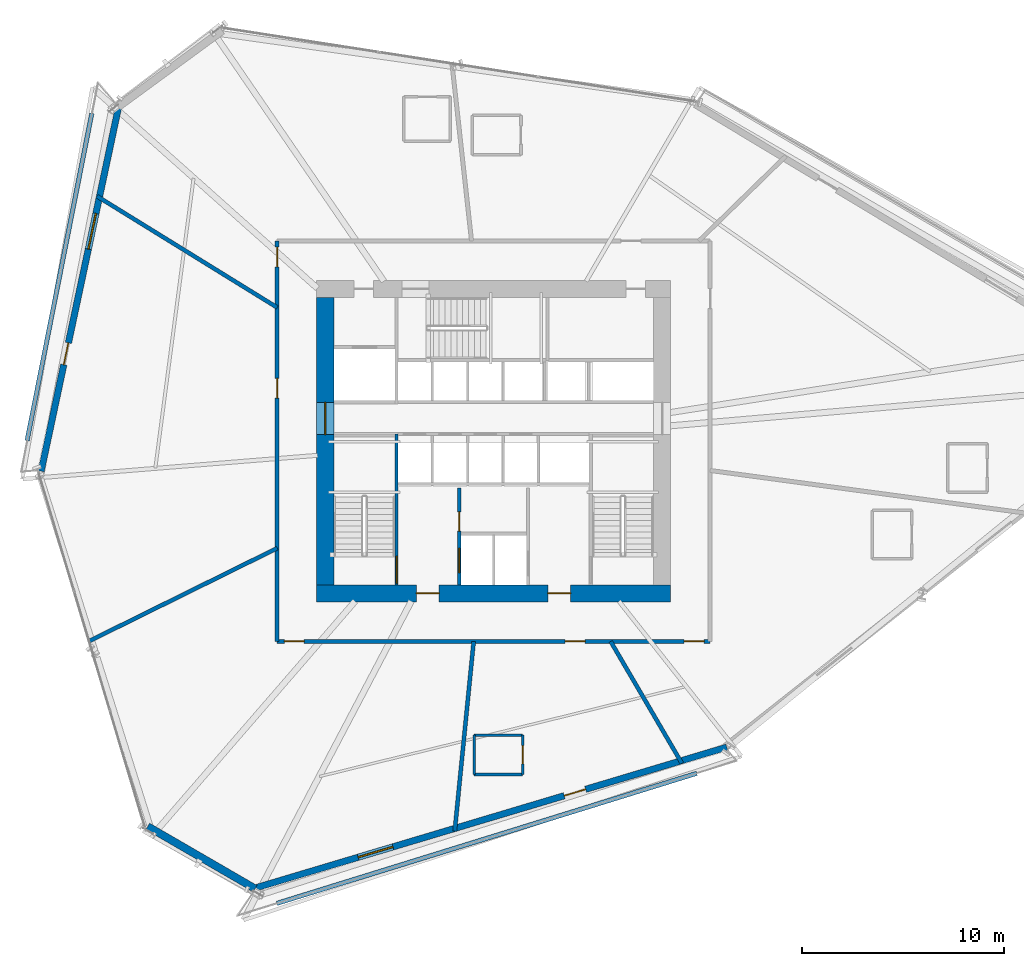
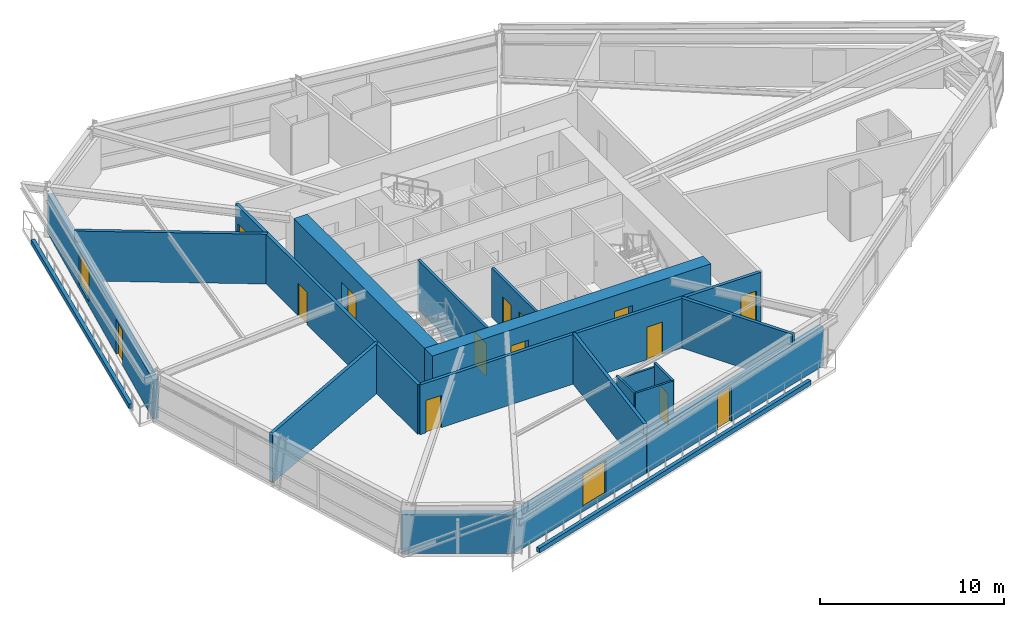
# One storey, part 17 of 22: 19 walls, 14 doors, 2 windows, 16 openings.
"""IFC4 building model written with IfcOpenShell, lengths in metres."""

import ifcopenshell
import ifcopenshell.guid

model = None  # the IFC model being written
_history = None  # IfcOwnerHistory: only IFC2X3 demands one
_inside = {}  # id of a spatial element -> (the spatial element, [elements in it])
_under = {}  # id of a project, library or spatial element -> (it, [spatial elements below it])
_declared = {}  # id of a project -> (the project, [libraries it declares])
_typed = {}  # id of a type object -> (the type object, [elements of that type])
_made_of = {}  # id of a material, layer set ... -> (it, [elements and type objects made of it])


def new_model(schema):
    """Start an empty IFC model of exactly this schema.

    Asked for "IFC4X3", IfcOpenShell would pick the latest addendum, in which some entities
    have other attributes; the version numbers below select the first issue.
    IFC2X3 requires an IfcOwnerHistory on every rooted entity: one is made here for all.
    """
    global model, _history
    if schema == "IFC4X3":
        model = ifcopenshell.file(schema_version=(4, 3, 0, 0))
    else:
        model = ifcopenshell.file(schema=schema)
    _inside.clear()
    _under.clear()
    _declared.clear()
    _typed.clear()
    _made_of.clear()
    _history = None
    if model.schema == "IFC2X3":
        org = make("IfcOrganization", Name="unknown")
        user = make(
            "IfcPersonAndOrganization",
            ThePerson=make("IfcPerson", FamilyName="unknown"),
            TheOrganization=org,
        )
        app = make(
            "IfcApplication",
            ApplicationDeveloper=org,
            Version="unknown",
            ApplicationFullName="unknown",
            ApplicationIdentifier="unknown",
        )
        _history = make(
            "IfcOwnerHistory",
            OwningUser=user,
            OwningApplication=app,
            ChangeAction="ADDED",
            CreationDate=0,
        )
    return model


def make(cls, **values):
    """One entity of the class cls with the attributes given. An attribute that is None is left unset."""
    return model.create_entity(
        cls, **{name: value for name, value in values.items() if value is not None}
    )


def rooted(cls, **values):
    """An entity with a GlobalId (a new one), such as an element, a storey or a relation."""
    return make(cls, GlobalId=ifcopenshell.guid.new(), OwnerHistory=_history, **values)


def si_unit(unit_type, name, prefix=None):
    """IfcSIUnit, for example si_unit("LENGTHUNIT", "METRE", prefix="MILLI")."""
    return make("IfcSIUnit", UnitType=unit_type, Prefix=prefix, Name=name)


def assignment(units):
    """IfcUnitAssignment: the units of a project."""
    return None if units is None else make("IfcUnitAssignment", Units=units)


def point(xyz):
    """IfcCartesianPoint."""
    return None if xyz is None else make("IfcCartesianPoint", Coordinates=xyz)


def direction(xyz):
    """IfcDirection."""
    return None if xyz is None else make("IfcDirection", DirectionRatios=xyz)


def frame(location, z_axis=None, x_axis=None):
    """IfcAxis2Placement3D, a coordinate frame: its origin and axes. An axis left out is left unset."""
    return make(
        "IfcAxis2Placement3D",
        Location=point(location),
        Axis=direction(z_axis),
        RefDirection=direction(x_axis),
    )


def frame_2d(location, x_axis=None):
    """IfcAxis2Placement2D, a coordinate frame in the plane: its origin and x axis."""
    return make(
        "IfcAxis2Placement2D", Location=point(location), RefDirection=direction(x_axis)
    )


def origin():
    """The frame at (0, 0, 0) with its axes left unset."""
    return frame((0.0, 0.0, 0.0))


def place(relative_to, where):
    """IfcLocalPlacement: puts the frame where relative to a parent placement (None: the world)."""
    return make(
        "IfcLocalPlacement", PlacementRelTo=relative_to, RelativePlacement=where
    )


def context(
    kind, dimensions, precision=None, world=None, true_north=None, identifier=None
):
    """IfcGeometricRepresentationContext, for example the 3D "Model" context."""
    return make(
        "IfcGeometricRepresentationContext",
        ContextIdentifier=identifier,
        ContextType=kind,
        CoordinateSpaceDimension=dimensions,
        Precision=precision,
        WorldCoordinateSystem=world,
        TrueNorth=true_north,
    )


def subcontext(parent, identifier, kind, view, scale=None):
    """IfcGeometricRepresentationSubContext, for example "Body" below "Model"."""
    return make(
        "IfcGeometricRepresentationSubContext",
        ContextIdentifier=identifier,
        ContextType=kind,
        ParentContext=parent,
        TargetScale=scale,
        TargetView=view,
    )


def project(units=None, contexts=None):
    """IfcProject with its units and contexts."""
    return rooted(
        "IfcProject",
        Name="project",
        RepresentationContexts=contexts,
        UnitsInContext=assignment(units),
    )


def spatial(cls, under=None, at=None, **own):
    """A site, building, storey or space (cls), placed at a placement, below another one or the project."""
    s = rooted(cls, ObjectPlacement=at, **own)
    if under is not None:
        _under.setdefault(under.id(), (under, []))[1].append(s)
    return s


def profile(cls, at=None, kind="AREA", **sizes):
    """A parametric profile (cls). Its sizes go by their IFC names, for example OverallWidth=200.0."""
    return make(cls, ProfileType=kind, Position=at, **sizes)


def rectangle(**sizes):
    """IfcRectangleProfileDef."""
    return profile("IfcRectangleProfileDef", **sizes)


def extrude(swept, where, along, depth):
    """IfcExtrudedAreaSolid: the profile swept, set in the frame where, extruded along a direction by depth."""
    return make(
        "IfcExtrudedAreaSolid",
        SweptArea=swept,
        Position=where,
        ExtrudedDirection=direction(along),
        Depth=depth,
    )


def shape(context_of_items, identifier, shape_type, items):
    """IfcShapeRepresentation: the items that make up one representation, for example the "Body"."""
    return make(
        "IfcShapeRepresentation",
        ContextOfItems=context_of_items,
        RepresentationIdentifier=identifier,
        RepresentationType=shape_type,
        Items=items,
    )


def source(mapping_origin, context_of_items, identifier, shape_type, items):
    """IfcRepresentationMap: a shape defined once, which mapped items show again and again."""
    return make(
        "IfcRepresentationMap",
        MappingOrigin=mapping_origin,
        MappedRepresentation=shape(context_of_items, identifier, shape_type, items),
    )


def transform(
    local_origin,
    x_axis=None,
    y_axis=None,
    z_axis=None,
    scale=None,
    scale2=None,
    scale3=None,
    uniform=True,
):
    """IfcCartesianTransformationOperator3D, or its non-uniform kind. x_axis, y_axis, z_axis: its Axis1, 2, 3."""
    if uniform:
        return make(
            "IfcCartesianTransformationOperator3D",
            Axis1=direction(x_axis),
            Axis2=direction(y_axis),
            LocalOrigin=point(local_origin),
            Scale=scale,
            Axis3=direction(z_axis),
        )
    return make(
        "IfcCartesianTransformationOperator3DnonUniform",
        Axis1=direction(x_axis),
        Axis2=direction(y_axis),
        LocalOrigin=point(local_origin),
        Scale=scale,
        Axis3=direction(z_axis),
        Scale2=scale2,
        Scale3=scale3,
    )


def mapped(mapping_source, mapping_target):
    """IfcMappedItem: shows the shape of a source again, moved by a transform."""
    return make(
        "IfcMappedItem", MappingSource=mapping_source, MappingTarget=mapping_target
    )


def material(Name=None, Category=None):
    """IfcMaterial."""
    return make("IfcMaterial", Name=Name, Category=Category)


def layer(
    of_material, thickness, ventilated=None, Name=None, Category=None, Priority=None
):
    """IfcMaterialLayer: one layer of a wall or slab, of a material (None: an air gap)."""
    return make(
        "IfcMaterialLayer",
        Material=of_material,
        LayerThickness=thickness,
        IsVentilated=ventilated,
        Name=Name,
        Category=Category,
        Priority=Priority,
    )


def layer_set(layers, Name=None):
    """IfcMaterialLayerSet."""
    return make("IfcMaterialLayerSet", MaterialLayers=layers, LayerSetName=Name)


def made_of(thing, what):
    """Note that an element or type object is made of a material, layer set ...; save() writes the relation."""
    if what is not None:
        _made_of.setdefault(what.id(), (what, []))[1].append(thing)
    return thing


def type_object(cls, material=None, **own):
    """A type object (cls), such as IfcWallType, which elements share."""
    return made_of(rooted(cls, **own), material)


def type_shapes(of_type, sources):
    """Give a type object the sources (RepresentationMaps) that its elements show as mapped items."""
    of_type.RepresentationMaps = sources


def element(
    cls,
    number,
    at=None,
    inside=None,
    cuts=None,
    type_object=None,
    material=None,
    context=None,
    identifier="Body",
    shape_type=None,
    held_by="IfcProductDefinitionShape",
    body=None,
    shapes=None,
    **own,
):
    """One element of the class cls, such as IfcWall. Its Tag is "e" and its number.

    at: its placement. inside: the storey or other place that contains it. cuts: it is an
    opening in that element (IfcRelVoidsElement). A single representation is given by context,
    identifier, shape_type and body (its items); several are given by shapes. held_by: the class
    of the entity that holds the representations. save() writes the other relations.
    """
    e = rooted(cls, Tag="e%d" % number, ObjectPlacement=at, **own)
    if body is not None:
        shapes = [shape(context, identifier, shape_type, body)]
    if shapes is not None:
        e.Representation = make(held_by, Representations=shapes)
    if inside is not None:
        _inside.setdefault(inside.id(), (inside, []))[1].append(e)
    if cuts is not None:
        rooted(
            "IfcRelVoidsElement", RelatingBuildingElement=cuts, RelatedOpeningElement=e
        )
    if type_object is not None:
        _typed.setdefault(type_object.id(), (type_object, []))[1].append(e)
    return made_of(e, material)


def fill(opening, filler):
    """IfcRelFillsElement: the door or window that sits in an opening."""
    return rooted(
        "IfcRelFillsElement",
        RelatingOpeningElement=opening,
        RelatedBuildingElement=filler,
    )


def aggregate(whole, parts):
    """IfcRelAggregates: a whole, such as a stair, and the parts it consists of."""
    return rooted("IfcRelAggregates", RelatingObject=whole, RelatedObjects=parts)


def save(model, path):
    """Write the relations noted so far, then the file.

    IfcRelAggregates (storeys below a building ...), IfcRelContainedInSpatialStructure (elements
    in a storey), IfcRelDefinesByType, IfcRelAssociatesMaterial and IfcRelDeclares: one each for
    every whole, place, type object, material and project.
    """
    for whole, parts in _under.values():
        aggregate(whole, parts)
    for where, things in _inside.values():
        rooted(
            "IfcRelContainedInSpatialStructure",
            RelatedElements=things,
            RelatingStructure=where,
        )
    for kind, things in _typed.values():
        rooted("IfcRelDefinesByType", RelatedObjects=things, RelatingType=kind)
    for what, things in _made_of.values():
        rooted("IfcRelAssociatesMaterial", RelatedObjects=things, RelatingMaterial=what)
    for by, libraries in _declared.values():
        rooted("IfcRelDeclares", RelatingContext=by, RelatedDefinitions=libraries)
    model.write(path)


model = new_model("IFC4")

# Units and contexts
model_context = context("Model", 3, precision=1e-05, world=origin(), true_north=direction((0.0, 1.0)))
body_context = subcontext(model_context, "Body", "Model", "MODEL_VIEW")
ifc_project = project(units=[si_unit("LENGTHUNIT", "METRE"), si_unit("AREAUNIT", "SQUARE_METRE"), si_unit("VOLUMEUNIT", "CUBIC_METRE"), si_unit("PLANEANGLEUNIT", "RADIAN"), si_unit("MASSUNIT", "GRAM", prefix="KILO")], contexts=[model_context])

# Site, building, storey
site_placement = place(None, origin())
site = spatial("IfcSite", under=ifc_project, at=site_placement, CompositionType="ELEMENT")
building_placement = place(site_placement, origin())
building = spatial("IfcBuilding", under=site, at=building_placement, Name="Olszyna Solenne Hotel", CompositionType="ELEMENT")
storey_placement = place(building_placement, frame((0.0, 0.0, 50.60009765625)))
storey = spatial("IfcBuildingStorey", under=building, at=storey_placement, Name="L12", CompositionType="ELEMENT", Elevation=50.60009765625)

# Wall, openings, doors
ifc_material_1 = material(Name="Concrete C60/75", Category="concrete")
ifc_layer_1 = layer(ifc_material_1, 0.85009765625, Name="Concrete C60/75")
ifc_layer_set_1 = layer_set([ifc_layer_1], Name="Concrete C60/75")
wall_type_1 = type_object("IfcWallType", Name="WL-CR850", PredefinedType="SHEAR", material=ifc_layer_set_1)
wall_1_placement = place(storey_placement, frame((46.75, 19.074951171875, 0.0), z_axis=(0.0, 0.0, 1.0), x_axis=(-1.0, 0.0, 0.0)))
wall_1 = element("IfcWall", 1, at=wall_1_placement, inside=storey, type_object=wall_type_1, Name="Core shear wall WL-CR850 CRW-L12-S", PredefinedType="SHEAR", context=body_context, shape_type="SweptSolid", body=[
    extrude(rectangle(XDim=17.5, YDim=0.85009765625, at=frame_2d((8.75, 0.0))), origin(), (0.0, 0.0, 1.0), 3.2998046875),
])
opening_1_placement = place(wall_1_placement, frame((4.949951171875, 0.0, 0.0)))
opening_1 = element("IfcOpeningElement", 2, at=opening_1_placement, cuts=wall_1, Name="Opening FL-L12-1", PredefinedType="OPENING", context=body_context, shape_type="SweptSolid", body=[
    extrude(rectangle(XDim=1.1201171875, YDim=2.25, at=frame_2d((0.56005859375, 1.125))), frame((0.0, 0.43505859375, 0.0), z_axis=(0.0, -1.0, 0.0), x_axis=(1.0, 0.0, 0.0)), (0.0, 0.0, 1.0), 0.8701171875),
])
opening_2_placement = place(wall_1_placement, frame((11.449951171875, 0.0, 0.0)))
opening_2 = element("IfcOpeningElement", 3, at=opening_2_placement, cuts=wall_1, Name="Opening FL-L12-2", PredefinedType="OPENING", context=body_context, shape_type="SweptSolid", body=[
    extrude(rectangle(XDim=1.1201171875, YDim=2.25, at=frame_2d((0.56005859375, 1.125))), frame((0.0, 0.43505859375, 0.0), z_axis=(0.0, -1.0, 0.0), x_axis=(1.0, 0.0, 0.0)), (0.0, 0.0, 1.0), 0.8701171875),
])
ifc_material_2 = material(Name="Steel S355J2", Category="steel")
door_type_1 = type_object("IfcDoorType", Name="DR-FL1", OperationType="NOTDEFINED", PredefinedType="DOOR", material=ifc_material_2)
shared_shape_1 = source(origin(), body_context, "Body", "SweptSolid", [
    extrude(rectangle(XDim=1.1201171875, YDim=2.25, at=frame_2d((0.56005859375, 1.125))), frame((0.0, 0.02490234375, 0.0), z_axis=(0.0, -1.0, 0.0), x_axis=(1.0, 0.0, 0.0)), (0.0, 0.0, 1.0), 0.050048828125),
])
type_shapes(door_type_1, [shared_shape_1])
door_1_placement = place(opening_1_placement, origin())
door_1 = element("IfcDoor", 4, at=door_1_placement, inside=storey, type_object=door_type_1, Name="Firefighting lift lobby smoke door FL-L12-1", OperationType="SINGLE_SWING_LEFT", OverallHeight=2.25, OverallWidth=1.1201171875, PredefinedType="DOOR", context=body_context, shape_type="MappedRepresentation", body=[
    mapped(shared_shape_1, transform((0.0, 0.0, 0.0), x_axis=(1.0, 0.0, 0.0), y_axis=(0.0, 1.0, 0.0), z_axis=(0.0, 0.0, 1.0), scale=1.0)),
])
fill(opening_1, door_1)
door_2_placement = place(opening_2_placement, origin())
door_2 = element("IfcDoor", 5, at=door_2_placement, inside=storey, type_object=door_type_1, Name="Firefighting lift lobby smoke door FL-L12-2", OperationType="SINGLE_SWING_RIGHT", OverallHeight=2.25, OverallWidth=1.1201171875, PredefinedType="DOOR", context=body_context, shape_type="MappedRepresentation", body=[
    mapped(shared_shape_1, transform((0.0, 0.0, 0.0), x_axis=(1.0, 0.0, 0.0), y_axis=(0.0, 1.0, 0.0), z_axis=(0.0, 0.0, 1.0), scale=1.0)),
])
fill(opening_2, door_2)

# Wall, opening, door
wall_2_placement = place(storey_placement, frame((29.675048828125, 19.5, 0.0), z_axis=(0.0, 0.0, 1.0), x_axis=(0.0, 1.0, 0.0)))
wall_2 = element("IfcWall", 6, at=wall_2_placement, inside=storey, type_object=wall_type_1, Name="Core shear wall WL-CR850 CRW-L12-W", PredefinedType="SHEAR", context=body_context, shape_type="SweptSolid", body=[
    extrude(rectangle(XDim=14.199951171875, YDim=0.85009765625, at=frame_2d((7.10009765625, 0.0))), origin(), (0.0, 0.0, 1.0), 3.2998046875),
])
opening_3_placement = place(wall_2_placement, frame((7.419921875, 0.0, 0.0)))
opening_3 = element("IfcOpeningElement", 7, at=opening_3_placement, cuts=wall_2, Name="Opening LHD-L12-W", PredefinedType="OPENING", context=body_context, shape_type="SweptSolid", body=[
    extrude(rectangle(XDim=1.60009765625, YDim=2.199951171875, at=frame_2d((0.800048828125, 1.10009765625))), frame((0.0, 0.43505859375, 0.0), z_axis=(0.0, -1.0, 0.0), x_axis=(1.0, 0.0, 0.0)), (0.0, 0.0, 1.0), 0.8701171875),
])
ifc_material_3 = material(Name="Timber hardwood", Category="wood")
door_type_2 = type_object("IfcDoorType", Name="DR-CR1", OperationType="DOUBLE_DOOR_SINGLE_SWING", PredefinedType="DOOR", material=ifc_material_3)
shared_shape_2 = source(origin(), body_context, "Body", "SweptSolid", [
    extrude(rectangle(XDim=1.60009765625, YDim=2.199951171875, at=frame_2d((0.800048828125, 1.10009765625))), frame((0.0, 0.02490234375, 0.0), z_axis=(0.0, -1.0, 0.0), x_axis=(1.0, 0.0, 0.0)), (0.0, 0.0, 1.0), 0.050048828125),
])
type_shapes(door_type_2, [shared_shape_2])
door_3_placement = place(opening_3_placement, origin())
door_3 = element("IfcDoor", 8, at=door_3_placement, inside=storey, type_object=door_type_2, Name="Passenger lift lobby West fire door LHD-L12-W", OperationType="DOUBLE_DOOR_SINGLE_SWING", OverallHeight=2.199951171875, OverallWidth=1.60009765625, PredefinedType="DOOR", context=body_context, shape_type="MappedRepresentation", body=[
    mapped(shared_shape_2, transform((0.0, 0.0, 0.0), x_axis=(1.0, 0.0, 0.0), y_axis=(0.0, 1.0, 0.0), z_axis=(0.0, 0.0, 1.0), scale=1.0)),
])
fill(opening_3, door_3)

# Wall, openings, door, window
ifc_material_4 = material(Name="Precast concrete C45/55", Category="concrete")
ifc_layer_2 = layer(ifc_material_4, 0.320068359375, Name="Precast concrete C45/55")
ifc_layer_set_2 = layer_set([ifc_layer_2], Name="Precast concrete C45/55")
wall_type_2 = type_object("IfcWallType", Name="WL-EX320", PredefinedType="SOLIDWALL", material=ifc_layer_set_2)
wall_3_placement = place(storey_placement, frame((49.526123046875, 11.473876953125, 0.0), z_axis=(0.0, 0.0, 1.0), x_axis=(-0.958183644485, -0.286153985541, 0.0)))
wall_3 = element("IfcWall", 9, at=wall_3_placement, inside=storey, type_object=wall_type_2, Name="Exterior terracotta-precast frame wall WL-EX320 EW-L12-01", PredefinedType="SOLIDWALL", context=body_context, shape_type="SweptSolid", body=[
    extrude(rectangle(XDim=24.487060546875, YDim=0.320068359375, at=frame_2d((12.24365234375, 0.0))), origin(), (0.0, 0.0, 1.0), 2.591796875),
])
opening_4_placement = place(wall_3_placement, frame((7.285888671875, 0.0, 0.0)))
opening_4 = element("IfcOpeningElement", 10, at=opening_4_placement, cuts=wall_3, Name="Opening LDG-L12-3", PredefinedType="OPENING", context=body_context, shape_type="SweptSolid", body=[
    extrude(rectangle(XDim=1.10009765625, YDim=2.300048828125, at=frame_2d((0.550048828125, 1.14990234375))), frame((0.0, 0.169921875, 0.0), z_axis=(0.0, -1.0, 0.0), x_axis=(1.0, 0.0, 0.0)), (0.0, 0.0, 1.0), 0.340087890625),
])
opening_5_placement = place(wall_3_placement, frame((17.220947265625, 0.0, 0.27197265625)))
opening_5 = element("IfcOpeningElement", 11, at=opening_5_placement, cuts=wall_3, Name="Opening WN-L12-052", PredefinedType="OPENING", context=body_context, shape_type="SweptSolid", body=[
    extrude(rectangle(XDim=1.800048828125, YDim=2.199951171875, at=frame_2d((0.89990234375, 1.10009765625))), frame((0.0, 0.169921875, 0.0), z_axis=(0.0, -1.0, 0.0), x_axis=(1.0, 0.0, 0.0)), (0.0, 0.0, 1.0), 0.340087890625),
])
ifc_material_5 = material(Name="Anodised bronze aluminium", Category="aluminium")
door_type_3 = type_object("IfcDoorType", Name="DR-LG1", OperationType="NOTDEFINED", PredefinedType="DOOR", material=ifc_material_5)
shared_shape_3 = source(origin(), body_context, "Body", "SweptSolid", [
    extrude(rectangle(XDim=1.10009765625, YDim=2.300048828125, at=frame_2d((0.550048828125, 1.14990234375))), frame((0.0, 0.02490234375, 0.0), z_axis=(0.0, -1.0, 0.0), x_axis=(1.0, 0.0, 0.0)), (0.0, 0.0, 1.0), 0.050048828125),
])
type_shapes(door_type_3, [shared_shape_3])
door_4_placement = place(opening_4_placement, origin())
door_4 = element("IfcDoor", 12, at=door_4_placement, inside=storey, type_object=door_type_3, Name="Exterior loggia balcony door DR-LG1 LDG-L12-3", OperationType="SINGLE_SWING_RIGHT", OverallHeight=2.300048828125, OverallWidth=1.10009765625, PredefinedType="DOOR", context=body_context, shape_type="MappedRepresentation", body=[
    mapped(shared_shape_3, transform((0.0, 0.0, 0.0), x_axis=(1.0, 0.0, 0.0), y_axis=(0.0, 1.0, 0.0), z_axis=(0.0, 0.0, 1.0), scale=1.0)),
])
fill(opening_4, door_4)
ifc_material_6 = material(Name="Low-E triple glazing", Category="glass")
window_type = type_object("IfcWindowType", Name="WN-HT1", PartitioningType="SINGLE_PANEL", PredefinedType="WINDOW", material=ifc_material_6)
shared_shape_4 = source(origin(), body_context, "Body", "SweptSolid", [
    extrude(rectangle(XDim=1.800048828125, YDim=2.199951171875, at=frame_2d((0.89990234375, 1.10009765625))), frame((0.0, 0.030029296875, 0.0), z_axis=(0.0, -1.0, 0.0), x_axis=(1.0, 0.0, 0.0)), (0.0, 0.0, 1.0), 0.06005859375),
])
type_shapes(window_type, [shared_shape_4])
window_1_placement = place(opening_5_placement, origin())
window_1 = element("IfcWindow", 13, at=window_1_placement, inside=storey, type_object=window_type, Name="Loggia room window WN-HT1 WN-L12-052", OverallHeight=2.199951171875, OverallWidth=1.800048828125, PartitioningType="SINGLE_PANEL", PredefinedType="WINDOW", context=body_context, shape_type="MappedRepresentation", body=[
    mapped(shared_shape_4, transform((0.0, 0.0, 0.0), x_axis=(1.0, 0.0, 0.0), y_axis=(0.0, 1.0, 0.0), z_axis=(0.0, 0.0, 1.0), scale=1.0)),
])
fill(opening_5, window_1)

wall_4_placement = place(storey_placement, frame((15.629150390625, 25.1171875, 0.0), z_axis=(0.0, 0.0, 1.0), x_axis=(0.207965348846, 0.97813619383, 0.0)))
wall_4 = element("IfcWall", 14, at=wall_4_placement, inside=storey, type_object=wall_type_2, Name="Exterior terracotta-precast frame wall WL-EX320 EW-L12-04", PredefinedType="SOLIDWALL", context=body_context, shape_type="SweptSolid", body=[
    extrude(rectangle(XDim=18.544921875, YDim=0.320068359375, at=frame_2d((9.2724609375, 0.0))), origin(), (0.0, 0.0, 1.0), 2.591796875),
])
opening_6_placement = place(wall_4_placement, frame((5.384033203125, 0.0, 0.0)))
opening_6 = element("IfcOpeningElement", 15, at=opening_6_placement, cuts=wall_4, Name="Opening LDG-L12-2", PredefinedType="OPENING", context=body_context, shape_type="SweptSolid", body=[
    extrude(rectangle(XDim=1.10009765625, YDim=2.300048828125, at=frame_2d((0.550048828125, 1.14990234375))), frame((0.0, 0.169921875, 0.0), z_axis=(0.0, -1.0, 0.0), x_axis=(1.0, 0.0, 0.0)), (0.0, 0.0, 1.0), 0.340087890625),
])
opening_7_placement = place(wall_4_placement, frame((11.222900390625, 0.0, 0.27197265625)))
opening_7 = element("IfcOpeningElement", 16, at=opening_7_placement, cuts=wall_4, Name="Opening WN-L12-053", PredefinedType="OPENING", context=body_context, shape_type="SweptSolid", body=[
    extrude(rectangle(XDim=1.800048828125, YDim=2.199951171875, at=frame_2d((0.89990234375, 1.10009765625))), frame((0.0, 0.169921875, 0.0), z_axis=(0.0, -1.0, 0.0), x_axis=(1.0, 0.0, 0.0)), (0.0, 0.0, 1.0), 0.340087890625),
])
door_5_placement = place(opening_6_placement, origin())
door_5 = element("IfcDoor", 17, at=door_5_placement, inside=storey, type_object=door_type_3, Name="Exterior loggia balcony door DR-LG1 LDG-L12-2", OperationType="SINGLE_SWING_LEFT", OverallHeight=2.300048828125, OverallWidth=1.10009765625, PredefinedType="DOOR", context=body_context, shape_type="MappedRepresentation", body=[
    mapped(shared_shape_3, transform((0.0, 0.0, 0.0), x_axis=(1.0, 0.0, 0.0), y_axis=(0.0, 1.0, 0.0), z_axis=(0.0, 0.0, 1.0), scale=1.0)),
])
fill(opening_6, door_5)
window_2_placement = place(opening_7_placement, origin())
window_2 = element("IfcWindow", 18, at=window_2_placement, inside=storey, type_object=window_type, Name="Loggia room window WN-HT1 WN-L12-053", OverallHeight=2.199951171875, OverallWidth=1.800048828125, PartitioningType="SINGLE_PANEL", PredefinedType="WINDOW", context=body_context, shape_type="MappedRepresentation", body=[
    mapped(shared_shape_4, transform((0.0, 0.0, 0.0), x_axis=(1.0, 0.0, 0.0), y_axis=(0.0, 1.0, 0.0), z_axis=(0.0, 0.0, 1.0), scale=1.0)),
])
fill(opening_7, window_2)

# Walls
ifc_material_7 = material(Name="Terracotta cladding on precast concrete C45/55", Category="masonry")
ifc_layer_3 = layer(ifc_material_7, 0.3798828125, Name="Terracotta cladding on precast concrete C45/55")
ifc_layer_set_3 = layer_set([ifc_layer_3], Name="Terracotta cladding on precast concrete C45/55")
wall_type_3 = type_object("IfcWallType", Name="WL-EX380", PredefinedType="SOLIDWALL", material=ifc_layer_set_3)
wall_5_placement = place(storey_placement, frame((26.2041015625, 4.477783203125, 0.0), z_axis=(0.0, 0.0, 1.0), x_axis=(-0.865169041167, 0.501480338803, 0.0)))
element("IfcWall", 19, at=wall_5_placement, inside=storey, type_object=wall_type_3, Name="Exterior terracotta-precast frame wall WL-EX380 EW-L12-02", PredefinedType="SOLIDWALL", context=body_context, shape_type="SweptSolid", body=[
    extrude(rectangle(XDim=6.13232421875, YDim=0.3798828125, at=frame_2d((3.066162109375, 0.0))), origin(), (0.0, 0.0, 1.0), 2.591796875),
])
ifc_layer_4 = layer(ifc_material_4, 0.219970703125, Name="Precast concrete C45/55")
ifc_layer_set_4 = layer_set([ifc_layer_4], Name="Precast concrete C45/55")
wall_type_4 = type_object("IfcWallType", Name="WL-PR220", PredefinedType="PARAPET", material=ifc_layer_set_4)
wall_6_placement = place(storey_placement, frame((18.134765625, 42.8037109375, 0.0), z_axis=(0.0, 0.0, 1.0), x_axis=(-0.194176334872, -0.980966641113, 0.0)))
element("IfcWall", 20, at=wall_6_placement, inside=storey, type_object=wall_type_4, Name="Loggia balcony precast kerb PR-L12-LG2", PredefinedType="PARAPET", context=body_context, shape_type="SweptSolid", body=[
    extrude(rectangle(XDim=16.48583984375, YDim=0.219970703125, at=frame_2d((8.242919921875, 0.0))), origin(), (0.0, 0.0, 1.0), 0.2998046875),
])
wall_7_placement = place(storey_placement, frame((27.287109375, 3.7529296875, 0.0), z_axis=(0.0, 0.0, 1.0), x_axis=(0.95522578955, 0.295877831173, 0.0)))
element("IfcWall", 21, at=wall_7_placement, inside=storey, type_object=wall_type_4, Name="Loggia balcony precast kerb PR-L12-LG3", PredefinedType="PARAPET", context=body_context, shape_type="SweptSolid", body=[
    extrude(rectangle(XDim=21.725830078125, YDim=0.219970703125, at=frame_2d((10.86279296875, 0.0))), origin(), (0.0, 0.0, 1.0), 0.2998046875),
])

# Wall, opening, door
ifc_material_8 = material(Name="Acoustic gypsum partition", Category="gypsum")
ifc_layer_5 = layer(ifc_material_8, 0.125, Name="Acoustic gypsum partition")
ifc_layer_set_5 = layer_set([ifc_layer_5], Name="Acoustic gypsum partition")
wall_type_5 = type_object("IfcWallType", Name="WL-PT125", PredefinedType="PARTITIONING", material=ifc_layer_set_5)
wall_8_placement = place(storey_placement, frame((39.43505859375, 10.123046875, 0.0), z_axis=(0.0, 0.0, 1.0), x_axis=(0.0, 1.0, 0.0)))
wall_8 = element("IfcWall", 22, at=wall_8_placement, inside=storey, type_object=wall_type_5, Name="Interior acoustic partition WL-PT125 PW-L12-0673", PredefinedType="PARTITIONING", context=body_context, shape_type="SweptSolid", body=[
    extrude(rectangle(XDim=1.949951171875, YDim=0.125, at=frame_2d((0.97509765625, 0.0))), origin(), (0.0, 0.0, 1.0), 3.2998046875),
])
opening_8_placement = place(wall_8_placement, frame((0.52490234375, 0.0, 0.0)))
opening_8 = element("IfcOpeningElement", 23, at=opening_8_placement, cuts=wall_8, Name="Opening DR-L12-0146", PredefinedType="OPENING", context=body_context, shape_type="SweptSolid", body=[
    extrude(rectangle(XDim=0.89990234375, YDim=2.10009765625, at=frame_2d((0.449951171875, 1.050048828125))), frame((0.0, 0.072509765625, 0.0), z_axis=(0.0, -1.0, 0.0), x_axis=(1.0, 0.0, 0.0)), (0.0, 0.0, 1.0), 0.14501953125),
])
door_type_4 = type_object("IfcDoorType", Name="DR-WC1", OperationType="NOTDEFINED", PredefinedType="DOOR", material=ifc_material_3)
shared_shape_5 = source(origin(), body_context, "Body", "SweptSolid", [
    extrude(rectangle(XDim=0.89990234375, YDim=2.10009765625, at=frame_2d((0.449951171875, 1.050048828125))), frame((0.0, 0.02490234375, 0.0), z_axis=(0.0, -1.0, 0.0), x_axis=(1.0, 0.0, 0.0)), (0.0, 0.0, 1.0), 0.050048828125),
])
type_shapes(door_type_4, [shared_shape_5])
door_6_placement = place(opening_8_placement, origin())
door_6 = element("IfcDoor", 24, at=door_6_placement, inside=storey, type_object=door_type_4, Name="En-Suite Bathroom Door DR-L12-0146", OperationType="SINGLE_SWING_LEFT", OverallHeight=2.10009765625, OverallWidth=0.89990234375, PredefinedType="DOOR", context=body_context, shape_type="MappedRepresentation", body=[
    mapped(shared_shape_5, transform((0.0, 0.0, 0.0), x_axis=(1.0, 0.0, 0.0), y_axis=(0.0, 1.0, 0.0), z_axis=(0.0, 0.0, 1.0), scale=1.0)),
])
fill(opening_8, door_6)

# Walls
wall_9_placement = place(storey_placement, frame((39.43505859375, 12.072998046875, 0.0), z_axis=(0.0, 0.0, 1.0), x_axis=(-1.0, 0.0, 0.0)))
element("IfcWall", 25, at=wall_9_placement, inside=storey, type_object=wall_type_5, Name="Interior acoustic partition WL-PT125 PW-L12-0674", PredefinedType="PARTITIONING", context=body_context, shape_type="SweptSolid", body=[
    extrude(rectangle(XDim=2.400146484375, YDim=0.125, at=frame_2d((1.2001953125, 0.0))), origin(), (0.0, 0.0, 1.0), 3.044921875),
])
wall_10_placement = place(storey_placement, frame((37.034912109375, 12.072998046875, 0.0), z_axis=(0.0, 0.0, 1.0), x_axis=(0.0, -1.0, 0.0)))
element("IfcWall", 26, at=wall_10_placement, inside=storey, type_object=wall_type_5, Name="Interior acoustic partition WL-PT125 PW-L12-0675", PredefinedType="PARTITIONING", context=body_context, shape_type="SweptSolid", body=[
    extrude(rectangle(XDim=1.949951171875, YDim=0.125, at=frame_2d((0.97509765625, 0.0))), origin(), (0.0, 0.0, 1.0), 3.2998046875),
])
wall_11_placement = place(storey_placement, frame((37.034912109375, 10.123046875, 0.0), z_axis=(0.0, 0.0, 1.0), x_axis=(1.0, 0.0, 0.0)))
element("IfcWall", 27, at=wall_11_placement, inside=storey, type_object=wall_type_5, Name="Interior acoustic partition WL-PT125 PW-L12-0676", PredefinedType="PARTITIONING", context=body_context, shape_type="SweptSolid", body=[
    extrude(rectangle(XDim=2.400146484375, YDim=0.125, at=frame_2d((1.2001953125, 0.0))), origin(), (0.0, 0.0, 1.0), 3.2998046875),
])

# Wall, opening, door
ifc_layer_6 = layer(ifc_material_8, 0.159912109375, Name="Acoustic gypsum partition")
ifc_layer_set_6 = layer_set([ifc_layer_6], Name="Acoustic gypsum partition")
wall_type_6 = type_object("IfcWallType", Name="WL-PT160", PredefinedType="PARTITIONING", material=ifc_layer_set_6)
wall_12_placement = place(storey_placement, frame((33.199951171875, 19.5, 0.0), z_axis=(0.0, 0.0, 1.0), x_axis=(0.0, 1.0, 0.0)))
wall_12 = element("IfcWall", 28, at=wall_12_placement, inside=storey, type_object=wall_type_6, Name="Core shaft compartment wall CW-L12-ST1E", PredefinedType="PARTITIONING", context=body_context, shape_type="SweptSolid", body=[
    extrude(rectangle(XDim=7.4599609375, YDim=0.159912109375, at=frame_2d((3.72998046875, 0.0))), origin(), (0.0, 0.0, 1.0), 3.2998046875),
])
opening_9_placement = place(wall_12_placement, frame((0.080078125, 0.0, 0.0)))
opening_9 = element("IfcOpeningElement", 29, at=opening_9_placement, cuts=wall_12, Name="Opening STD-L12-01", PredefinedType="OPENING", context=body_context, shape_type="SweptSolid", body=[
    extrude(rectangle(XDim=1.320068359375, YDim=2.199951171875, at=frame_2d((0.66015625, 1.10009765625))), frame((0.0, 0.08984375, 0.0), z_axis=(0.0, -1.0, 0.0), x_axis=(1.0, 0.0, 0.0)), (0.0, 0.0, 1.0), 0.179931640625),
])
door_type_5 = type_object("IfcDoorType", Name="DR-ST1", OperationType="NOTDEFINED", PredefinedType="DOOR", material=ifc_material_2)
shared_shape_6 = source(origin(), body_context, "Body", "SweptSolid", [
    extrude(rectangle(XDim=1.320068359375, YDim=2.199951171875, at=frame_2d((0.66015625, 1.10009765625))), frame((0.0, 0.02490234375, 0.0), z_axis=(0.0, -1.0, 0.0), x_axis=(1.0, 0.0, 0.0)), (0.0, 0.0, 1.0), 0.050048828125),
])
type_shapes(door_type_5, [shared_shape_6])
door_7_placement = place(opening_9_placement, origin())
door_7 = element("IfcDoor", 30, at=door_7_placement, inside=storey, type_object=door_type_5, Name="Pressurised exit stair ST1 fire door STD-L12-01", OperationType="SINGLE_SWING_LEFT", OverallHeight=2.199951171875, OverallWidth=1.320068359375, PredefinedType="DOOR", context=body_context, shape_type="MappedRepresentation", body=[
    mapped(shared_shape_6, transform((0.0, 0.0, 0.0), x_axis=(1.0, 0.0, 0.0), y_axis=(0.0, 1.0, 0.0), z_axis=(0.0, 0.0, 1.0), scale=1.0)),
])
fill(opening_9, door_7)

# Wall, openings, doors
wall_13_placement = place(storey_placement, frame((36.300048828125, 19.5, 0.0), z_axis=(0.0, 0.0, 1.0), x_axis=(0.0, 1.0, 0.0)))
wall_13 = element("IfcWall", 31, at=wall_13_placement, inside=storey, type_object=wall_type_6, Name="Core shaft compartment wall CW-L12-FF1W", PredefinedType="PARTITIONING", context=body_context, shape_type="SweptSolid", body=[
    extrude(rectangle(XDim=4.780029296875, YDim=0.159912109375, at=frame_2d((2.39013671875, 0.0))), origin(), (0.0, 0.0, 1.0), 3.2998046875),
])
opening_10_placement = place(wall_13_placement, frame((0.60009765625, 0.0, 0.0)))
opening_10 = element("IfcOpeningElement", 32, at=opening_10_placement, cuts=wall_13, Name="Opening LD-L12-FF1", PredefinedType="OPENING", context=body_context, shape_type="SweptSolid", body=[
    extrude(rectangle(XDim=1.199951171875, YDim=2.199951171875, at=frame_2d((0.60009765625, 1.10009765625))), frame((0.0, 0.08984375, 0.0), z_axis=(0.0, -1.0, 0.0), x_axis=(1.0, 0.0, 0.0)), (0.0, 0.0, 1.0), 0.179931640625),
])
opening_11_placement = place(wall_13_placement, frame((2.64990234375, 0.0, 0.0)))
opening_11 = element("IfcOpeningElement", 33, at=opening_11_placement, cuts=wall_13, Name="Opening SVD-L12-SMK", PredefinedType="OPENING", context=body_context, shape_type="SweptSolid", body=[
    extrude(rectangle(XDim=0.949951171875, YDim=2.10009765625, at=frame_2d((0.47509765625, 1.050048828125))), frame((0.0, 0.08984375, 0.0), z_axis=(0.0, -1.0, 0.0), x_axis=(1.0, 0.0, 0.0)), (0.0, 0.0, 1.0), 0.179931640625),
])
door_type_6 = type_object("IfcDoorType", Name="DR-SV1", OperationType="NOTDEFINED", PredefinedType="DOOR", material=ifc_material_2)
shared_shape_7 = source(origin(), body_context, "Body", "SweptSolid", [
    extrude(rectangle(XDim=0.949951171875, YDim=2.10009765625, at=frame_2d((0.47509765625, 1.050048828125))), frame((0.0, 0.02490234375, 0.0), z_axis=(0.0, -1.0, 0.0), x_axis=(1.0, 0.0, 0.0)), (0.0, 0.0, 1.0), 0.050048828125),
])
type_shapes(door_type_6, [shared_shape_7])
door_8_placement = place(opening_11_placement, origin())
door_8 = element("IfcDoor", 34, at=door_8_placement, inside=storey, type_object=door_type_6, Name="Valet and core service room door SVD-L12-SMK", OperationType="SINGLE_SWING_LEFT", OverallHeight=2.10009765625, OverallWidth=0.949951171875, PredefinedType="DOOR", context=body_context, shape_type="MappedRepresentation", body=[
    mapped(shared_shape_7, transform((0.0, 0.0, 0.0), x_axis=(1.0, 0.0, 0.0), y_axis=(0.0, 1.0, 0.0), z_axis=(0.0, 0.0, 1.0), scale=1.0)),
])
fill(opening_11, door_8)
door_type_7 = type_object("IfcDoorType", Name="LD-FF1", OperationType="DOUBLE_DOOR_SLIDING", PredefinedType="DOOR", material=ifc_material_2)
shared_shape_8 = source(origin(), body_context, "Body", "SweptSolid", [
    extrude(rectangle(XDim=1.199951171875, YDim=2.199951171875, at=frame_2d((0.60009765625, 1.10009765625))), frame((0.0, 0.02490234375, 0.0), z_axis=(0.0, -1.0, 0.0), x_axis=(1.0, 0.0, 0.0)), (0.0, 0.0, 1.0), 0.050048828125),
])
type_shapes(door_type_7, [shared_shape_8])
door_9_placement = place(opening_10_placement, origin())
door_9 = element("IfcDoor", 35, at=door_9_placement, inside=storey, type_object=door_type_7, Name="Firefighters lift FF1 sliding landing door LD-L12-FF1", OperationType="DOUBLE_DOOR_SLIDING", OverallHeight=2.199951171875, OverallWidth=1.199951171875, PredefinedType="DOOR", context=body_context, shape_type="MappedRepresentation", body=[
    mapped(shared_shape_8, transform((0.0, 0.0, 0.0), x_axis=(1.0, 0.0, 0.0), y_axis=(0.0, 1.0, 0.0), z_axis=(0.0, 0.0, 1.0), scale=1.0)),
])
fill(opening_10, door_9)

# Walls
ifc_layer_7 = layer(ifc_material_8, 0.199951171875, Name="Acoustic gypsum partition")
ifc_layer_set_7 = layer_set([ifc_layer_7], Name="Acoustic gypsum partition")
wall_type_7 = type_object("IfcWallType", Name="WL-PT200", PredefinedType="PARTITIONING", material=ifc_layer_set_7)
wall_14_placement = place(storey_placement, frame((43.78515625, 16.699951171875, 0.0), z_axis=(0.0, 0.0, 1.0), x_axis=(0.504536520789, -0.863390351573, 0.0)))
element("IfcWall", 36, at=wall_14_placement, inside=storey, type_object=wall_type_7, Name="Interior acoustic partition WL-PT200 PW-L12-0650", PredefinedType="PARTITIONING", context=body_context, shape_type="SweptSolid", body=[
    extrude(rectangle(XDim=6.978271484375, YDim=0.199951171875, at=frame_2d((3.4892578125, 0.0))), origin(), (0.0, 0.0, 1.0), 3.2998046875),
])
wall_15_placement = place(storey_placement, frame((27.300048828125, 33.20849609375, 0.0), z_axis=(0.0, 0.0, 1.0), x_axis=(-0.850809029341, 0.525475018998, 0.0)))
element("IfcWall", 37, at=wall_15_placement, inside=storey, type_object=wall_type_7, Name="Interior acoustic partition WL-PT200 PW-L12-0654", PredefinedType="PARTITIONING", context=body_context, shape_type="SweptSolid", body=[
    extrude(rectangle(XDim=10.47607421875, YDim=0.199951171875, at=frame_2d((5.238037109375, 0.0))), origin(), (0.0, 0.0, 1.0), 3.2998046875),
])
wall_16_placement = place(storey_placement, frame((27.300048828125, 21.311767578125, 0.0), z_axis=(0.0, 0.0, 1.0), x_axis=(-0.896486110775, -0.443071837502, 0.0)))
element("IfcWall", 38, at=wall_16_placement, inside=storey, type_object=wall_type_7, Name="Interior acoustic partition WL-PT200 PW-L12-0655", PredefinedType="PARTITIONING", context=body_context, shape_type="SweptSolid", body=[
    extrude(rectangle(XDim=10.33935546875, YDim=0.199951171875, at=frame_2d((5.169677734375, 0.0))), origin(), (0.0, 0.0, 1.0), 3.2998046875),
])
wall_17_placement = place(storey_placement, frame((37.01171875, 16.699951171875, 0.0), z_axis=(0.0, 0.0, 1.0), x_axis=(-0.099311369571, -0.995056406378, 0.0)))
element("IfcWall", 39, at=wall_17_placement, inside=storey, type_object=wall_type_7, Name="Interior acoustic partition WL-PT200 PW-L12-0656", PredefinedType="PARTITIONING", context=body_context, shape_type="SweptSolid", body=[
    extrude(rectangle(XDim=9.42529296875, YDim=0.199951171875, at=frame_2d((4.712646484375, 0.0))), origin(), (0.0, 0.0, 1.0), 3.2998046875),
])

# Wall, openings, doors
wall_18_placement = place(storey_placement, frame((27.300048828125, 16.699951171875, 0.0), z_axis=(0.0, 0.0, 1.0), x_axis=(1.0, 0.0, 0.0)))
wall_18 = element("IfcWall", 40, at=wall_18_placement, inside=storey, type_object=wall_type_7, Name="Interior acoustic partition WL-PT200 PW-L12-0677", PredefinedType="PARTITIONING", context=body_context, shape_type="SweptSolid", body=[
    extrude(rectangle(XDim=21.39990234375, YDim=0.199951171875, at=frame_2d((10.699951171875, 0.0))), origin(), (0.0, 0.0, 1.0), 3.2998046875),
])
opening_12_placement = place(wall_18_placement, frame((20.1201171875, 0.0, 0.0)))
opening_12 = element("IfcOpeningElement", 41, at=opening_12_placement, cuts=wall_18, Name="Opening DR-L12-0147", PredefinedType="OPENING", context=body_context, shape_type="SweptSolid", body=[
    extrude(rectangle(XDim=0.97998046875, YDim=2.14990234375, at=frame_2d((0.489990234375, 1.074951171875))), frame((0.0, 0.10986328125, 0.0), z_axis=(0.0, -1.0, 0.0), x_axis=(1.0, 0.0, 0.0)), (0.0, 0.0, 1.0), 0.219970703125),
])
opening_13_placement = place(wall_18_placement, frame((0.35595703125, 0.0, 0.0)))
opening_13 = element("IfcOpeningElement", 42, at=opening_13_placement, cuts=wall_18, Name="Opening DR-L12-0148", PredefinedType="OPENING", context=body_context, shape_type="SweptSolid", body=[
    extrude(rectangle(XDim=0.97998046875, YDim=2.14990234375, at=frame_2d((0.489990234375, 1.074951171875))), frame((0.0, 0.10986328125, 0.0), z_axis=(0.0, -1.0, 0.0), x_axis=(1.0, 0.0, 0.0)), (0.0, 0.0, 1.0), 0.219970703125),
])
opening_14_placement = place(wall_18_placement, frame((14.236083984375, 0.0, 0.0)))
opening_14 = element("IfcOpeningElement", 43, at=opening_14_placement, cuts=wall_18, Name="Opening DR-L12-0149", PredefinedType="OPENING", context=body_context, shape_type="SweptSolid", body=[
    extrude(rectangle(XDim=0.97998046875, YDim=2.14990234375, at=frame_2d((0.489990234375, 1.074951171875))), frame((0.0, 0.10986328125, 0.0), z_axis=(0.0, -1.0, 0.0), x_axis=(1.0, 0.0, 0.0)), (0.0, 0.0, 1.0), 0.219970703125),
])
door_type_8 = type_object("IfcDoorType", Name="DR-RM1", OperationType="NOTDEFINED", PredefinedType="DOOR", material=ifc_material_3)
shared_shape_9 = source(origin(), body_context, "Body", "SweptSolid", [
    extrude(rectangle(XDim=0.97998046875, YDim=2.14990234375, at=frame_2d((0.489990234375, 1.074951171875))), frame((0.0, 0.02490234375, 0.0), z_axis=(0.0, -1.0, 0.0), x_axis=(1.0, 0.0, 0.0)), (0.0, 0.0, 1.0), 0.050048828125),
])
type_shapes(door_type_8, [shared_shape_9])
door_10_placement = place(opening_12_placement, origin())
door_10 = element("IfcDoor", 44, at=door_10_placement, inside=storey, type_object=door_type_8, Name="Premier King Suite Entrance Door DR-L12-0147", OperationType="SINGLE_SWING_LEFT", OverallHeight=2.14990234375, OverallWidth=0.97998046875, PredefinedType="DOOR", context=body_context, shape_type="MappedRepresentation", body=[
    mapped(shared_shape_9, transform((0.0, 0.0, 0.0), x_axis=(1.0, 0.0, 0.0), y_axis=(0.0, 1.0, 0.0), z_axis=(0.0, 0.0, 1.0), scale=1.0)),
])
fill(opening_12, door_10)
door_11_placement = place(opening_13_placement, origin())
door_11 = element("IfcDoor", 45, at=door_11_placement, inside=storey, type_object=door_type_8, Name="Boutique Art Gallery Entrance Door DR-L12-0148", OperationType="SINGLE_SWING_RIGHT", OverallHeight=2.14990234375, OverallWidth=0.97998046875, PredefinedType="DOOR", context=body_context, shape_type="MappedRepresentation", body=[
    mapped(shared_shape_9, transform((0.0, 0.0, 0.0), x_axis=(1.0, 0.0, 0.0), y_axis=(0.0, 1.0, 0.0), z_axis=(0.0, 0.0, 1.0), scale=1.0)),
])
fill(opening_13, door_11)
door_12_placement = place(opening_14_placement, origin())
door_12 = element("IfcDoor", 46, at=door_12_placement, inside=storey, type_object=door_type_8, Name="Executive Reading Salon Entrance Door DR-L12-0149", OperationType="SINGLE_SWING_LEFT", OverallHeight=2.14990234375, OverallWidth=0.97998046875, PredefinedType="DOOR", context=body_context, shape_type="MappedRepresentation", body=[
    mapped(shared_shape_9, transform((0.0, 0.0, 0.0), x_axis=(1.0, 0.0, 0.0), y_axis=(0.0, 1.0, 0.0), z_axis=(0.0, 0.0, 1.0), scale=1.0)),
])
fill(opening_14, door_12)

wall_19_placement = place(storey_placement, frame((27.300048828125, 16.699951171875, 0.0), z_axis=(0.0, 0.0, 1.0), x_axis=(0.0, 1.0, 0.0)))
wall_19 = element("IfcWall", 47, at=wall_19_placement, inside=storey, type_object=wall_type_7, Name="Interior acoustic partition WL-PT200 PW-L12-0678", PredefinedType="PARTITIONING", context=body_context, shape_type="SweptSolid", body=[
    extrude(rectangle(XDim=19.800048828125, YDim=0.199951171875, at=frame_2d((9.89990234375, 0.0))), origin(), (0.0, 0.0, 1.0), 3.2998046875),
])
opening_15_placement = place(wall_19_placement, frame((18.52001953125, 0.0, 0.0)))
opening_15 = element("IfcOpeningElement", 48, at=opening_15_placement, cuts=wall_19, Name="Opening DR-L12-0150", PredefinedType="OPENING", context=body_context, shape_type="SweptSolid", body=[
    extrude(rectangle(XDim=0.97998046875, YDim=2.14990234375, at=frame_2d((0.489990234375, 1.074951171875))), frame((0.0, 0.10986328125, 0.0), z_axis=(0.0, -1.0, 0.0), x_axis=(1.0, 0.0, 0.0)), (0.0, 0.0, 1.0), 0.219970703125),
])
opening_16_placement = place(wall_19_placement, frame((12.028076171875, 0.0, 0.0)))
opening_16 = element("IfcOpeningElement", 49, at=opening_16_placement, cuts=wall_19, Name="Opening DR-L12-0151", PredefinedType="OPENING", context=body_context, shape_type="SweptSolid", body=[
    extrude(rectangle(XDim=0.97998046875, YDim=2.14990234375, at=frame_2d((0.489990234375, 1.074951171875))), frame((0.0, 0.10986328125, 0.0), z_axis=(0.0, -1.0, 0.0), x_axis=(1.0, 0.0, 0.0)), (0.0, 0.0, 1.0), 0.219970703125),
])
door_13_placement = place(opening_15_placement, origin())
door_13 = element("IfcDoor", 50, at=door_13_placement, inside=storey, type_object=door_type_8, Name="Premier King Suite Entrance Door DR-L12-0150", OperationType="SINGLE_SWING_RIGHT", OverallHeight=2.14990234375, OverallWidth=0.97998046875, PredefinedType="DOOR", context=body_context, shape_type="MappedRepresentation", body=[
    mapped(shared_shape_9, transform((0.0, 0.0, 0.0), x_axis=(1.0, 0.0, 0.0), y_axis=(0.0, 1.0, 0.0), z_axis=(0.0, 0.0, 1.0), scale=1.0)),
])
fill(opening_15, door_13)
door_14_placement = place(opening_16_placement, origin())
door_14 = element("IfcDoor", 51, at=door_14_placement, inside=storey, type_object=door_type_8, Name="Boutique Art Gallery Entrance Door DR-L12-0151", OperationType="SINGLE_SWING_LEFT", OverallHeight=2.14990234375, OverallWidth=0.97998046875, PredefinedType="DOOR", context=body_context, shape_type="MappedRepresentation", body=[
    mapped(shared_shape_9, transform((0.0, 0.0, 0.0), x_axis=(1.0, 0.0, 0.0), y_axis=(0.0, 1.0, 0.0), z_axis=(0.0, 0.0, 1.0), scale=1.0)),
])
fill(opening_16, door_14)

save(model, "model.ifc")
